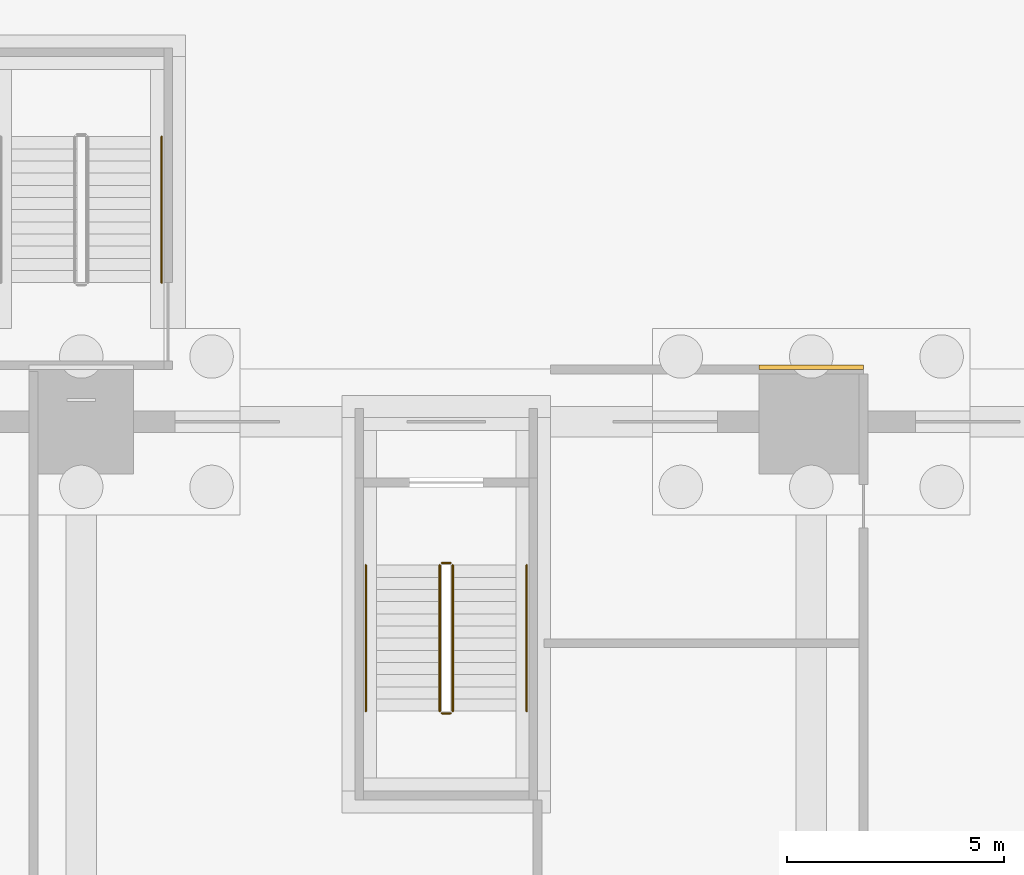
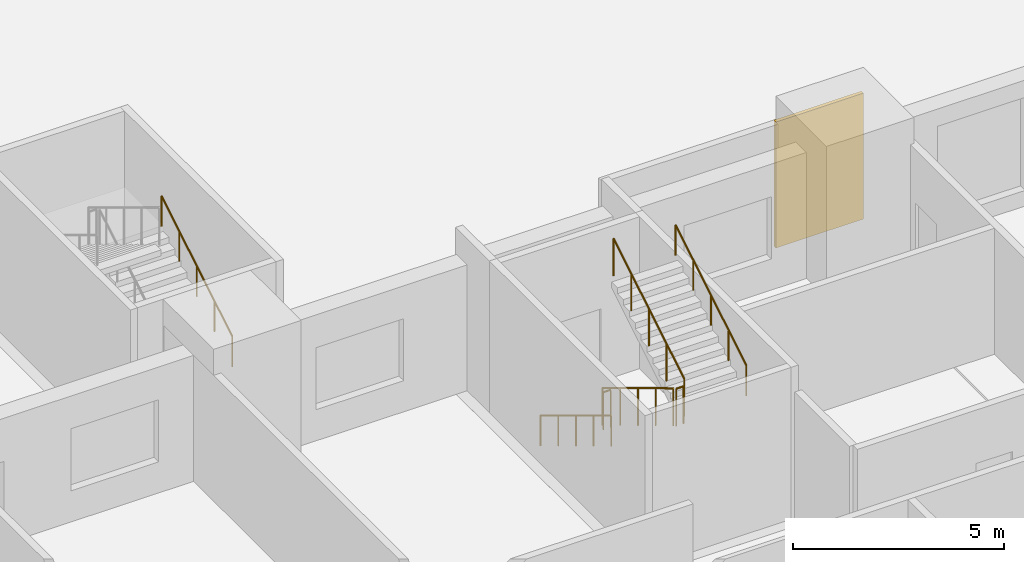
# One storey, part 119 of 139: 7 railings, 1 covering.
"""IFC4 building model written with IfcOpenShell, lengths in metres."""

from ifc_helpers import new_model, si_unit, direction, frame, origin, origin_2d, place, context, subcontext, project, spatial, rectangle, circle, extrude, material, layer, layer_set, type_object, element, save


model = new_model("IFC4")

# Units and contexts
model_context = context("Model", 3, precision=1e-05, world=origin(), true_north=direction((0.0, 1.0)))
body_context = subcontext(model_context, "Body", "Model", "MODEL_VIEW")
ifc_project = project(units=[si_unit("LENGTHUNIT", "METRE"), si_unit("AREAUNIT", "SQUARE_METRE"), si_unit("VOLUMEUNIT", "CUBIC_METRE"), si_unit("PLANEANGLEUNIT", "RADIAN"), si_unit("MASSUNIT", "GRAM", prefix="KILO")], contexts=[model_context])

# Site, building, storey
site_placement = place(None, origin())
site = spatial("IfcSite", under=ifc_project, at=site_placement, CompositionType="ELEMENT")
building_placement = place(site_placement, origin())
building = spatial("IfcBuilding", under=site, at=building_placement, Name="Verrick Yard Athletic Hall", CompositionType="ELEMENT")
storey_placement = place(building_placement, origin())
storey = spatial("IfcBuildingStorey", under=building, at=storey_placement, Name="L00", CompositionType="ELEMENT", Elevation=0.0)

# Covering
ifc_material_1 = material(Name="Rusticated limestone cladding", Category="masonry")
ifc_layer = layer(ifc_material_1, 0.10009765625)
ifc_layer_set = layer_set([ifc_layer], Name="Pier base cladding")
covering_type = type_object("IfcCoveringType", Name="Pier base cladding", PredefinedType="CLADDING", material=ifc_layer_set)
covering_placement = place(storey_placement, frame((90.39990234375, 54.050048828125, 0.0), z_axis=(0.0, 0.0, 1.0), x_axis=(1.0, 0.0, 0.0)))
element("IfcCovering", 1, at=covering_placement, inside=storey, type_object=covering_type, Name="Pier base N4", PredefinedType="CLADDING", context=body_context, shape_type="SweptSolid", body=[
    extrude(rectangle(XDim=2.39990234375, YDim=0.10009765625, at=origin_2d()), origin(), (0.0, 0.0, 1.0), 3.64990234375),
])

# Railings
ifc_material_2 = material(Name="Stainless steel", Category="steel")
railing_type_1 = type_object("IfcRailingType", Name="Stair and core guard 1100", PredefinedType="GUARDRAIL", material=ifc_material_2)
railing_1_placement = place(storey_placement, frame((81.85009765625, 49.5, 0.169189453125)))
element("IfcRailing", 2, at=railing_1_placement, inside=storey, type_object=railing_type_1, Name="L00 North plinth exit 2 stair guard 1", PredefinedType="GUARDRAIL", context=body_context, shape_type="SweptSolid", body=[
    extrude(circle(Radius=0.02392578125, at=origin_2d()), frame((0.0, 0.0, 1.076171875), z_axis=(0.0, -0.855836976705, 0.517245656632), x_axis=(1.0, 0.0, 0.0)), (0.0, 0.0, 1.0), 3.926025390625),
    extrude(circle(Radius=0.02099609375, at=origin_2d()), origin(), (0.0, 0.0, 1.0), 1.052001953125),
    extrude(circle(Radius=0.02099609375, at=origin_2d()), frame((0.0, -0.840087890625, 0.5078125)), (0.0, 0.0, 1.0), 1.052001953125),
    extrude(circle(Radius=0.02099609375, at=origin_2d()), frame((0.0, -1.68017578125, 1.015380859375)), (0.0, 0.0, 1.0), 1.052001953125),
    extrude(circle(Radius=0.02099609375, at=origin_2d()), frame((0.0, -2.52001953125, 1.52294921875)), (0.0, 0.0, 1.0), 1.052001953125),
    extrude(circle(Radius=0.02099609375, at=origin_2d()), frame((0.0, -3.360107421875, 2.03076171875)), (0.0, 0.0, 1.0), 1.052001953125),
])
railing_2_placement = place(storey_placement, frame((81.89990234375, 46.090087890625, 2.199951171875)))
element("IfcRailing", 3, at=railing_2_placement, inside=storey, type_object=railing_type_1, Name="L00 North plinth exit 2 stair guard 2", PredefinedType="GUARDRAIL", context=body_context, shape_type="SweptSolid", body=[
    extrude(circle(Radius=0.02392578125, at=origin_2d()), frame((0.0, 0.0, 1.076171875), z_axis=(1.0, 0.0, 0.0), x_axis=(0.0, 1.0, 0.0)), (0.0, 0.0, 1.0), 0.2001953125),
    extrude(circle(Radius=0.02099609375, at=origin_2d()), origin(), (0.0, 0.0, 1.0), 1.052001953125),
    extrude(circle(Radius=0.02099609375, at=origin_2d()), frame((0.2001953125, 0.0, 0.0)), (0.0, 0.0, 1.0), 1.052001953125),
])
railing_3_placement = place(storey_placement, frame((82.14990234375, 46.139892578125, 2.369140625)))
element("IfcRailing", 4, at=railing_3_placement, inside=storey, type_object=railing_type_1, Name="L00 North plinth exit 2 stair guard 3", PredefinedType="GUARDRAIL", context=body_context, shape_type="SweptSolid", body=[
    extrude(circle(Radius=0.02392578125, at=origin_2d()), frame((0.0, 0.0, 1.076171875), z_axis=(0.0, 0.855836976705, 0.517245656632), x_axis=(-1.0, 0.0, 0.0)), (0.0, 0.0, 1.0), 3.926025390625),
    extrude(circle(Radius=0.02099609375, at=origin_2d()), origin(), (0.0, 0.0, 1.0), 1.052001953125),
    extrude(circle(Radius=0.02099609375, at=origin_2d()), frame((0.0, 0.840087890625, 0.5078125)), (0.0, 0.0, 1.0), 1.052001953125),
    extrude(circle(Radius=0.02099609375, at=origin_2d()), frame((0.0, 1.68017578125, 1.015380859375)), (0.0, 0.0, 1.0), 1.052001953125),
    extrude(circle(Radius=0.02099609375, at=origin_2d()), frame((0.0, 2.52001953125, 1.52294921875)), (0.0, 0.0, 1.0), 1.052001953125),
    extrude(circle(Radius=0.02099609375, at=origin_2d()), frame((0.0, 3.360107421875, 2.03076171875)), (0.0, 0.0, 1.0), 1.052001953125),
])
railing_4_placement = place(storey_placement, frame((81.89990234375, 49.550048828125, 0.0)))
element("IfcRailing", 5, at=railing_4_placement, inside=storey, type_object=railing_type_1, Name="L00 North plinth exit 2 stair guard 4", PredefinedType="GUARDRAIL", context=body_context, shape_type="SweptSolid", body=[
    extrude(circle(Radius=0.02392578125, at=origin_2d()), frame((0.0, 0.0, 1.076171875), z_axis=(1.0, 0.0, 0.0), x_axis=(0.0, 1.0, 0.0)), (0.0, 0.0, 1.0), 0.2001953125),
    extrude(circle(Radius=0.02099609375, at=origin_2d()), origin(), (0.0, 0.0, 1.0), 1.052001953125),
    extrude(circle(Radius=0.02099609375, at=origin_2d()), frame((0.2001953125, 0.0, 0.0)), (0.0, 0.0, 1.0), 1.052001953125),
])
railing_type_2 = type_object("IfcRailingType", Name="Stair handrail 900", PredefinedType="HANDRAIL", material=ifc_material_2)
railing_5_placement = place(storey_placement, frame((75.449951171875, 56.0, 0.169189453125)))
element("IfcRailing", 6, at=railing_5_placement, inside=storey, type_object=railing_type_2, Name="L00 North deck escape 3 stair handrail 1", PredefinedType="HANDRAIL", context=body_context, shape_type="SweptSolid", body=[
    extrude(circle(Radius=0.02392578125, at=origin_2d()), frame((0.0, 0.0, 0.8759765625), z_axis=(0.0, 0.855836976705, 0.517245656632), x_axis=(-1.0, 0.0, 0.0)), (0.0, 0.0, 1.0), 3.926025390625),
    extrude(circle(Radius=0.02099609375, at=origin_2d()), origin(), (0.0, 0.0, 1.0), 0.851806640625),
    extrude(circle(Radius=0.02099609375, at=origin_2d()), frame((0.0, 0.840087890625, 0.5078125)), (0.0, 0.0, 1.0), 0.851806640625),
    extrude(circle(Radius=0.02099609375, at=origin_2d()), frame((0.0, 1.68017578125, 1.015380859375)), (0.0, 0.0, 1.0), 0.851806640625),
    extrude(circle(Radius=0.02099609375, at=origin_2d()), frame((0.0, 2.52001953125, 1.52294921875)), (0.0, 0.0, 1.0), 0.851806640625),
    extrude(circle(Radius=0.02099609375, at=origin_2d()), frame((0.0, 3.360107421875, 2.03076171875)), (0.0, 0.0, 1.0), 0.851806640625),
])
railing_6_placement = place(storey_placement, frame((80.14990234375, 49.5, 0.169189453125)))
element("IfcRailing", 7, at=railing_6_placement, inside=storey, type_object=railing_type_2, Name="L00 North plinth exit 2 stair handrail 1", PredefinedType="HANDRAIL", context=body_context, shape_type="SweptSolid", body=[
    extrude(circle(Radius=0.02392578125, at=origin_2d()), frame((0.0, 0.0, 0.8759765625), z_axis=(0.0, -0.855836976705, 0.517245656632), x_axis=(1.0, 0.0, 0.0)), (0.0, 0.0, 1.0), 3.926025390625),
    extrude(circle(Radius=0.02099609375, at=origin_2d()), origin(), (0.0, 0.0, 1.0), 0.851806640625),
    extrude(circle(Radius=0.02099609375, at=origin_2d()), frame((0.0, -0.840087890625, 0.5078125)), (0.0, 0.0, 1.0), 0.851806640625),
    extrude(circle(Radius=0.02099609375, at=origin_2d()), frame((0.0, -1.68017578125, 1.015380859375)), (0.0, 0.0, 1.0), 0.851806640625),
    extrude(circle(Radius=0.02099609375, at=origin_2d()), frame((0.0, -2.52001953125, 1.52294921875)), (0.0, 0.0, 1.0), 0.851806640625),
    extrude(circle(Radius=0.02099609375, at=origin_2d()), frame((0.0, -3.360107421875, 2.03076171875)), (0.0, 0.0, 1.0), 0.851806640625),
])
railing_7_placement = place(storey_placement, frame((83.85009765625, 46.139892578125, 2.369140625)))
element("IfcRailing", 8, at=railing_7_placement, inside=storey, type_object=railing_type_2, Name="L00 North plinth exit 2 stair handrail 2", PredefinedType="HANDRAIL", context=body_context, shape_type="SweptSolid", body=[
    extrude(circle(Radius=0.02392578125, at=origin_2d()), frame((0.0, 0.0, 0.8759765625), z_axis=(0.0, 0.855836976705, 0.517245656632), x_axis=(-1.0, 0.0, 0.0)), (0.0, 0.0, 1.0), 3.926025390625),
    extrude(circle(Radius=0.02099609375, at=origin_2d()), origin(), (0.0, 0.0, 1.0), 0.851806640625),
    extrude(circle(Radius=0.02099609375, at=origin_2d()), frame((0.0, 0.840087890625, 0.5078125)), (0.0, 0.0, 1.0), 0.851806640625),
    extrude(circle(Radius=0.02099609375, at=origin_2d()), frame((0.0, 1.68017578125, 1.015380859375)), (0.0, 0.0, 1.0), 0.851806640625),
    extrude(circle(Radius=0.02099609375, at=origin_2d()), frame((0.0, 2.52001953125, 1.52294921875)), (0.0, 0.0, 1.0), 0.851806640625),
    extrude(circle(Radius=0.02099609375, at=origin_2d()), frame((0.0, 3.360107421875, 2.03076171875)), (0.0, 0.0, 1.0), 0.851806640625),
])

save(model, "model.ifc")
